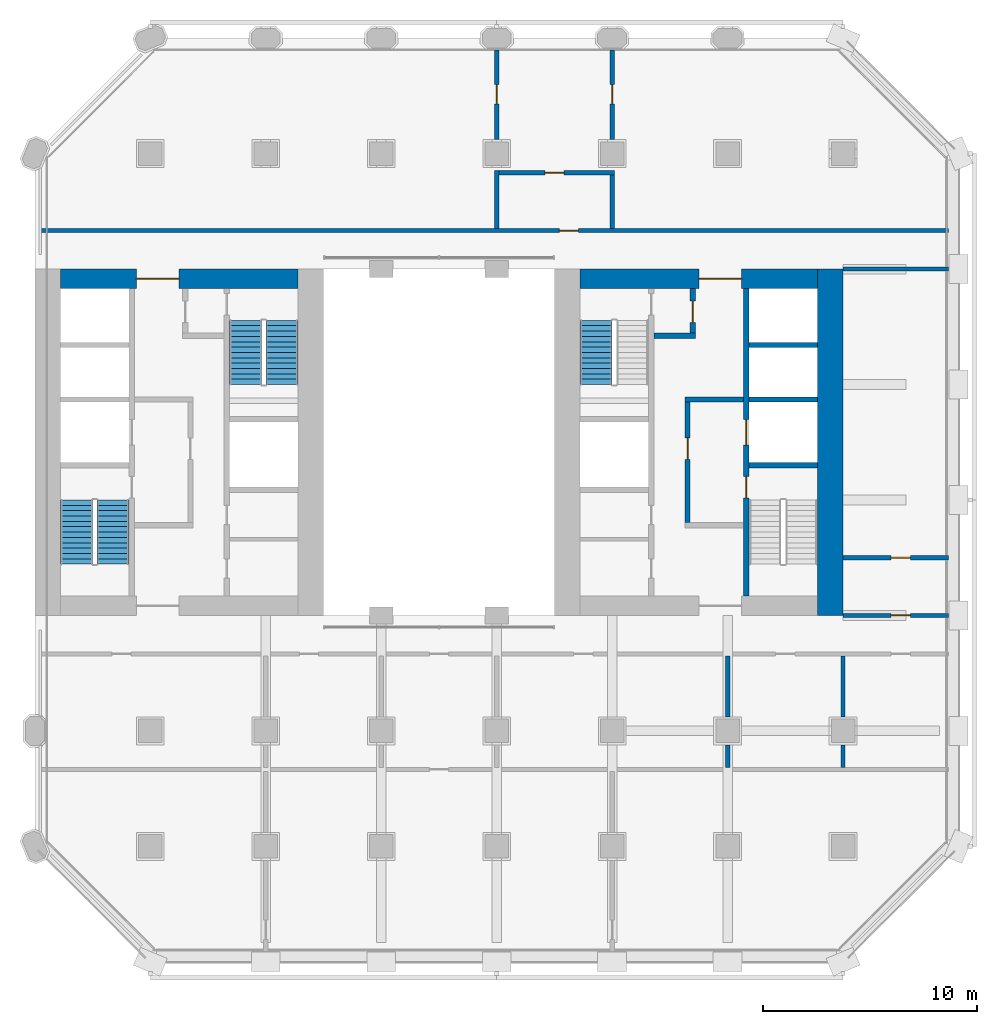
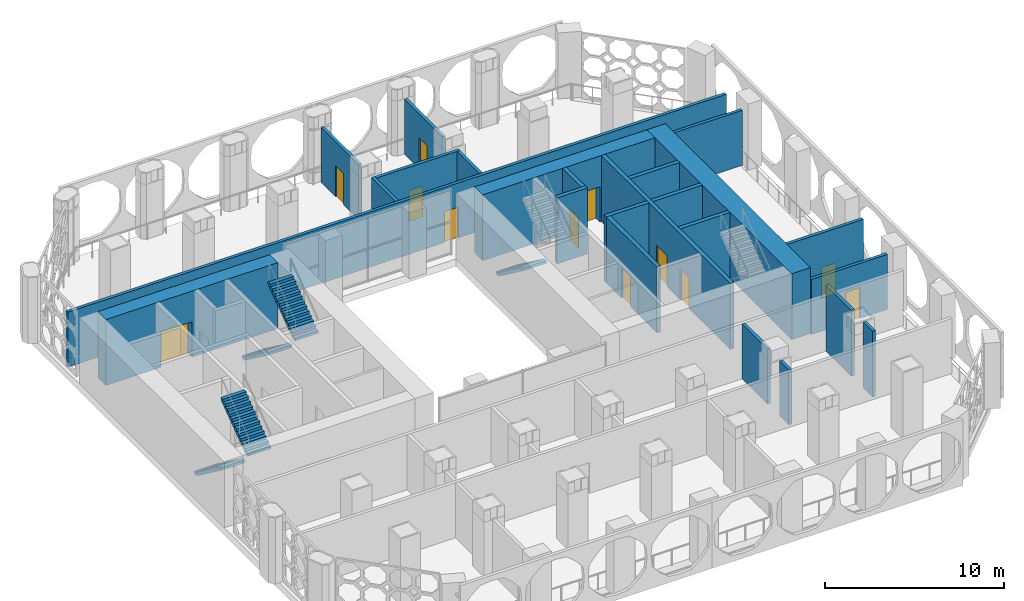
# One storey, part 9 of 14: 24 walls, 12 doors, 5 stair flights, 12 openings, 3 elements without a shape of their own.
"""IFC4 building model written with IfcOpenShell, lengths in metres."""

from ifc_helpers import new_model, si_unit, direction, frame, frame_2d, origin, place, context, subcontext, project, spatial, polyline, rectangle, outline, extrude, material, layer, layer_set, type_object, element, fill, aggregate, save


model = new_model("IFC4")

# Units and contexts
model_context = context("Model", 3, precision=1e-05, world=origin(), true_north=direction((0.0, 1.0)))
body_context = subcontext(model_context, "Body", "Model", "MODEL_VIEW")
ifc_project = project(units=[si_unit("LENGTHUNIT", "METRE"), si_unit("AREAUNIT", "SQUARE_METRE"), si_unit("VOLUMEUNIT", "CUBIC_METRE"), si_unit("PLANEANGLEUNIT", "RADIAN"), si_unit("MASSUNIT", "GRAM", prefix="KILO")], contexts=[model_context])

# Site, building, storey
site_placement = place(None, origin())
site = spatial("IfcSite", under=ifc_project, at=site_placement, CompositionType="ELEMENT")
building_placement = place(site_placement, origin())
building = spatial("IfcBuilding", under=site, at=building_placement, Name="Tabaq Tower and Sports Hall", CompositionType="ELEMENT")
storey_placement = place(building_placement, frame((0.0, 0.0, 60.199951171875)))
storey = spatial("IfcBuildingStorey", under=building, at=storey_placement, Name="L13", CompositionType="ELEMENT", Elevation=60.199951171875)

# Wall
ifc_material_1 = material(Name="Concrete C60/75", Category="concrete")
ifc_layer_1 = layer(ifc_material_1, 1.199951171875)
ifc_layer_set_1 = layer_set([ifc_layer_1], Name="Core wall 1200 Concrete C60/75")
wall_type_1 = type_object("IfcWallType", Name="Core wall 1200 Concrete C60/75", PredefinedType="SOLIDWALL", material=ifc_layer_set_1)
wall_1_placement = place(storey_placement, frame((42.60009765625, 32.39990234375, 0.0), z_axis=(0.0, 0.0, 1.0), x_axis=(0.0, -1.0, 0.0)))
element("IfcWall", 1, at=wall_1_placement, inside=storey, type_object=wall_type_1, Name="Core wall E L13", PredefinedType="SOLIDWALL", context=body_context, shape_type="SweptSolid", body=[
    extrude(rectangle(XDim=16.199951171875, YDim=1.199951171875, at=frame_2d((8.10009765625, 0.0))), origin(), (0.0, 0.0, 1.0), 4.5),
])

# Wall, opening, door
ifc_material_2 = material(Name="Concrete C60/75", Category="concrete")
ifc_layer_2 = layer(ifc_material_2, 0.89990234375)
ifc_layer_set_2 = layer_set([ifc_layer_2], Name="Core wall 900 Concrete C60/75")
wall_type_2 = type_object("IfcWallType", Name="Core wall 900 Concrete C60/75", PredefinedType="SOLIDWALL", material=ifc_layer_set_2)
wall_2_placement = place(storey_placement, frame((6.60009765625, 31.949951171875, 0.0), z_axis=(0.0, 0.0, 1.0), x_axis=(1.0, 0.0, 0.0)))
wall_2 = element("IfcWall", 2, at=wall_2_placement, inside=storey, type_object=wall_type_2, Name="Core wall W L13", PredefinedType="SOLIDWALL", context=body_context, shape_type="SweptSolid", body=[
    extrude(rectangle(XDim=11.099853515625, YDim=0.89990234375, at=frame_2d((5.5498046875, 0.0))), origin(), (0.0, 0.0, 1.0), 4.5),
])
opening_1_placement = place(wall_2_placement, frame((3.550048828125, 0.0, 0.0)))
opening_1 = element("IfcOpeningElement", 3, at=opening_1_placement, cuts=wall_2, Name="Opening PD-WL13-02", PredefinedType="OPENING", context=body_context, shape_type="SweptSolid", body=[
    extrude(rectangle(XDim=2.0, YDim=2.39990234375, at=frame_2d((1.0, 1.199951171875))), frame((0.0, 0.449951171875, 0.0), z_axis=(0.0, -1.0, 0.0), x_axis=(1.0, 0.0, 0.0)), (0.0, 0.0, 1.0), 0.89990234375),
])
ifc_material_3 = material(Name="Steel fire door", Category="steel")
door_type_1 = type_object("IfcDoorType", Name="Core entrance door 2000", OperationType="DOUBLE_DOOR_SINGLE_SWING", PredefinedType="DOOR", material=ifc_material_3)
door_1_placement = place(opening_1_placement, origin())
door_1 = element("IfcDoor", 4, at=door_1_placement, inside=storey, type_object=door_type_1, Name="Core entrance north W L13", OperationType="DOUBLE_DOOR_SINGLE_SWING", OverallHeight=2.39990234375, OverallWidth=2.0, PredefinedType="DOOR", context=body_context, shape_type="SweptSolid", body=[
    extrude(rectangle(XDim=2.0, YDim=2.39990234375, at=frame_2d((1.0, 1.199951171875))), frame((0.0, 0.02490234375, 0.0), z_axis=(0.0, -1.0, 0.0), x_axis=(1.0, 0.0, 0.0)), (0.0, 0.0, 1.0), 0.050048828125),
])
fill(opening_1, door_1)

wall_3_placement = place(storey_placement, frame((30.89990234375, 31.949951171875, 0.0), z_axis=(0.0, 0.0, 1.0), x_axis=(1.0, 0.0, 0.0)))
wall_3 = element("IfcWall", 5, at=wall_3_placement, inside=storey, type_object=wall_type_2, Name="Core wall E L13", PredefinedType="SOLIDWALL", context=body_context, shape_type="SweptSolid", body=[
    extrude(rectangle(XDim=11.10009765625, YDim=0.89990234375, at=frame_2d((5.550048828125, 0.0))), origin(), (0.0, 0.0, 1.0), 4.5),
])
opening_2_placement = place(wall_3_placement, frame((5.550048828125, 0.0, 0.0)))
opening_2 = element("IfcOpeningElement", 6, at=opening_2_placement, cuts=wall_3, Name="Opening PD-EL13-02", PredefinedType="OPENING", context=body_context, shape_type="SweptSolid", body=[
    extrude(rectangle(XDim=2.0, YDim=2.39990234375, at=frame_2d((1.0, 1.199951171875))), frame((0.0, 0.449951171875, 0.0), z_axis=(0.0, -1.0, 0.0), x_axis=(1.0, 0.0, 0.0)), (0.0, 0.0, 1.0), 0.89990234375),
])
door_2_placement = place(opening_2_placement, origin())
door_2 = element("IfcDoor", 7, at=door_2_placement, inside=storey, type_object=door_type_1, Name="Core entrance north E L13", OperationType="DOUBLE_DOOR_SINGLE_SWING", OverallHeight=2.39990234375, OverallWidth=2.0, PredefinedType="DOOR", context=body_context, shape_type="SweptSolid", body=[
    extrude(rectangle(XDim=2.0, YDim=2.39990234375, at=frame_2d((1.0, 1.199951171875))), frame((0.0, 0.02490234375, 0.0), z_axis=(0.0, -1.0, 0.0), x_axis=(1.0, 0.0, 0.0)), (0.0, 0.0, 1.0), 0.050048828125),
])
fill(opening_2, door_2)

ifc_material_4 = material(Name="Blockwork", Category="masonry")
ifc_layer_3 = layer(ifc_material_4, 0.199951171875)
ifc_layer_set_3 = layer_set([ifc_layer_3], Name="Fire compartment wall 200 Blockwork")
wall_type_3 = type_object("IfcWallType", Name="Fire compartment wall 200 Blockwork", PredefinedType="PARTITIONING", material=ifc_layer_set_3)
wall_4_placement = place(storey_placement, frame((48.1201171875, 16.199951171875, 0.0), z_axis=(0.0, 0.0, 1.0), x_axis=(-1.0, 0.0, 0.0)))
wall_4 = element("IfcWall", 8, at=wall_4_placement, inside=storey, type_object=wall_type_3, Name="Compartment wall L13", PredefinedType="PARTITIONING", context=body_context, shape_type="SweptSolid", body=[
    extrude(rectangle(XDim=4.920166015625, YDim=0.199951171875, at=frame_2d((2.4599609375, 0.0))), origin(), (0.0, 0.0, 1.0), 3.75),
])
opening_3_placement = place(wall_4_placement, frame((1.77001953125, 0.0, 0.0)))
opening_3 = element("IfcOpeningElement", 9, at=opening_3_placement, cuts=wall_4, Name="Opening L13-012", PredefinedType="OPENING", context=body_context, shape_type="SweptSolid", body=[
    extrude(rectangle(XDim=0.89990234375, YDim=2.10009765625, at=frame_2d((0.449951171875, 1.050048828125))), frame((0.0, 0.10009765625, 0.0), z_axis=(0.0, -1.0, 0.0), x_axis=(1.0, 0.0, 0.0)), (0.0, 0.0, 1.0), 0.199951171875),
])
ifc_material_5 = material(Name="Steel fire door", Category="steel")
door_type_2 = type_object("IfcDoorType", Name="Plant room door 900 left hand", OperationType="SINGLE_SWING_LEFT", PredefinedType="DOOR", material=ifc_material_5)
door_3_placement = place(opening_3_placement, origin())
door_3 = element("IfcDoor", 10, at=door_3_placement, inside=storey, type_object=door_type_2, Name="Plant room door L13-012", OperationType="SINGLE_SWING_LEFT", OverallHeight=2.10009765625, OverallWidth=0.89990234375, PredefinedType="DOOR", context=body_context, shape_type="SweptSolid", body=[
    extrude(rectangle(XDim=0.89990234375, YDim=2.10009765625, at=frame_2d((0.449951171875, 1.050048828125))), frame((0.0, 0.02490234375, 0.0), z_axis=(0.0, -1.0, 0.0), x_axis=(1.0, 0.0, 0.0)), (0.0, 0.0, 1.0), 0.050048828125),
])
fill(opening_3, door_3)

wall_5_placement = place(storey_placement, frame((48.1201171875, 34.199951171875, 0.0), z_axis=(0.0, 0.0, 1.0), x_axis=(-1.0, 0.0, 0.0)))
wall_5 = element("IfcWall", 11, at=wall_5_placement, inside=storey, type_object=wall_type_3, Name="Compartment wall L13", PredefinedType="PARTITIONING", context=body_context, shape_type="SweptSolid", body=[
    extrude(rectangle(XDim=42.47021484375, YDim=0.199951171875, at=frame_2d((21.235107421875, 0.0))), origin(), (0.0, 0.0, 1.0), 3.75),
])
opening_4_placement = place(wall_5_placement, frame((17.294921875, 0.0, 0.0)))
opening_4 = element("IfcOpeningElement", 12, at=opening_4_placement, cuts=wall_5, Name="Opening L13-013", PredefinedType="OPENING", context=body_context, shape_type="SweptSolid", body=[
    extrude(rectangle(XDim=0.89990234375, YDim=2.10009765625, at=frame_2d((0.449951171875, 1.050048828125))), frame((0.0, 0.10009765625, 0.0), z_axis=(0.0, -1.0, 0.0), x_axis=(1.0, 0.0, 0.0)), (0.0, 0.0, 1.0), 0.199951171875),
])
ifc_material_6 = material(Name="Steel fire door", Category="steel")
door_type_3 = type_object("IfcDoorType", Name="Plant room door 900 right hand", OperationType="SINGLE_SWING_RIGHT", PredefinedType="DOOR", material=ifc_material_6)
door_4_placement = place(opening_4_placement, origin())
door_4 = element("IfcDoor", 13, at=door_4_placement, inside=storey, type_object=door_type_3, Name="Plant room door L13-013", OperationType="SINGLE_SWING_RIGHT", OverallHeight=2.10009765625, OverallWidth=0.89990234375, PredefinedType="DOOR", context=body_context, shape_type="SweptSolid", body=[
    extrude(rectangle(XDim=0.89990234375, YDim=2.10009765625, at=frame_2d((0.449951171875, 1.050048828125))), frame((0.0, 0.02490234375, 0.0), z_axis=(0.0, -1.0, 0.0), x_axis=(1.0, 0.0, 0.0)), (0.0, 0.0, 1.0), 0.050048828125),
])
fill(opening_4, door_4)

# Walls
wall_6_placement = place(storey_placement, frame((43.199951171875, 32.39990234375, 0.0), z_axis=(0.0, 0.0, 1.0), x_axis=(1.0, 0.0, 0.0)))
element("IfcWall", 14, at=wall_6_placement, inside=storey, type_object=wall_type_3, Name="Compartment wall L13", PredefinedType="PARTITIONING", context=body_context, shape_type="SweptSolid", body=[
    extrude(rectangle(XDim=4.920166015625, YDim=0.199951171875, at=frame_2d((2.4599609375, 0.0))), origin(), (0.0, 0.0, 1.0), 3.75),
])
wall_7_placement = place(storey_placement, frame((27.0, 34.300048828125, 0.0), z_axis=(0.0, 0.0, 1.0), x_axis=(0.0, 1.0, 0.0)))
element("IfcWall", 15, at=wall_7_placement, inside=storey, type_object=wall_type_3, Name="Compartment wall L13", PredefinedType="PARTITIONING", context=body_context, shape_type="SweptSolid", body=[
    extrude(rectangle(XDim=2.699951171875, YDim=0.199951171875, at=frame_2d((1.35009765625, 0.0))), origin(), (0.0, 0.0, 1.0), 3.75),
])

# Wall, opening, door
wall_8_placement = place(storey_placement, frame((27.0, 38.45068359375, 0.0), z_axis=(0.0, 0.0, 1.0), x_axis=(0.0, 1.0, 0.0)))
wall_8 = element("IfcWall", 16, at=wall_8_placement, inside=storey, type_object=wall_type_3, Name="Compartment wall L13", PredefinedType="PARTITIONING", context=body_context, shape_type="SweptSolid", body=[
    extrude(rectangle(XDim=4.19921875, YDim=0.199951171875, at=frame_2d((2.099609375, 0.0))), origin(), (0.0, 0.0, 1.0), 3.75),
])
opening_5_placement = place(wall_8_placement, frame((1.67431640625, 0.0, 0.0)))
opening_5 = element("IfcOpeningElement", 17, at=opening_5_placement, cuts=wall_8, Name="Opening L13-006", PredefinedType="OPENING", context=body_context, shape_type="SweptSolid", body=[
    extrude(rectangle(XDim=0.89990234375, YDim=2.10009765625, at=frame_2d((0.449951171875, 1.050048828125))), frame((0.0, 0.10009765625, 0.0), z_axis=(0.0, -1.0, 0.0), x_axis=(1.0, 0.0, 0.0)), (0.0, 0.0, 1.0), 0.199951171875),
])
ifc_material_7 = material(Name="Steel fire door", Category="steel")
door_type_4 = type_object("IfcDoorType", Name="Refuge holding area door 900 right hand", OperationType="SINGLE_SWING_RIGHT", PredefinedType="DOOR", material=ifc_material_7)
door_5_placement = place(opening_5_placement, origin())
door_5 = element("IfcDoor", 18, at=door_5_placement, inside=storey, type_object=door_type_4, Name="Refuge holding area door L13-006", OperationType="SINGLE_SWING_RIGHT", OverallHeight=2.10009765625, OverallWidth=0.89990234375, PredefinedType="DOOR", context=body_context, shape_type="SweptSolid", body=[
    extrude(rectangle(XDim=0.89990234375, YDim=2.10009765625, at=frame_2d((0.449951171875, 1.050048828125))), frame((0.0, 0.02490234375, 0.0), z_axis=(0.0, -1.0, 0.0), x_axis=(1.0, 0.0, 0.0)), (0.0, 0.0, 1.0), 0.050048828125),
])
fill(opening_5, door_5)

wall_9_placement = place(storey_placement, frame((32.39990234375, 38.45068359375, 0.0), z_axis=(0.0, 0.0, 1.0), x_axis=(0.0, 1.0, 0.0)))
wall_9 = element("IfcWall", 19, at=wall_9_placement, inside=storey, type_object=wall_type_3, Name="Compartment wall L13", PredefinedType="PARTITIONING", context=body_context, shape_type="SweptSolid", body=[
    extrude(rectangle(XDim=4.19921875, YDim=0.199951171875, at=frame_2d((2.099609375, 0.0))), origin(), (0.0, 0.0, 1.0), 3.75),
])
opening_6_placement = place(wall_9_placement, frame((1.67431640625, 0.0, 0.0)))
opening_6 = element("IfcOpeningElement", 20, at=opening_6_placement, cuts=wall_9, Name="Opening L13-007", PredefinedType="OPENING", context=body_context, shape_type="SweptSolid", body=[
    extrude(rectangle(XDim=0.89990234375, YDim=2.10009765625, at=frame_2d((0.449951171875, 1.050048828125))), frame((0.0, 0.10009765625, 0.0), z_axis=(0.0, -1.0, 0.0), x_axis=(1.0, 0.0, 0.0)), (0.0, 0.0, 1.0), 0.199951171875),
])
ifc_material_8 = material(Name="Steel fire door", Category="steel")
door_type_5 = type_object("IfcDoorType", Name="Refuge holding area door 900 left hand", OperationType="SINGLE_SWING_LEFT", PredefinedType="DOOR", material=ifc_material_8)
door_6_placement = place(opening_6_placement, origin())
door_6 = element("IfcDoor", 21, at=door_6_placement, inside=storey, type_object=door_type_5, Name="Refuge holding area door L13-007", OperationType="SINGLE_SWING_LEFT", OverallHeight=2.10009765625, OverallWidth=0.89990234375, PredefinedType="DOOR", context=body_context, shape_type="SweptSolid", body=[
    extrude(rectangle(XDim=0.89990234375, YDim=2.10009765625, at=frame_2d((0.449951171875, 1.050048828125))), frame((0.0, 0.02490234375, 0.0), z_axis=(0.0, -1.0, 0.0), x_axis=(1.0, 0.0, 0.0)), (0.0, 0.0, 1.0), 0.050048828125),
])
fill(opening_6, door_6)

wall_10_placement = place(storey_placement, frame((27.10009765625, 36.89990234375, 0.0), z_axis=(0.0, 0.0, 1.0), x_axis=(1.0, 0.0, 0.0)))
wall_10 = element("IfcWall", 22, at=wall_10_placement, inside=storey, type_object=wall_type_3, Name="Compartment wall L13", PredefinedType="PARTITIONING", context=body_context, shape_type="SweptSolid", body=[
    extrude(rectangle(XDim=5.39990234375, YDim=0.199951171875, at=frame_2d((2.699951171875, 0.0))), origin(), (0.0, 0.0, 1.0), 3.75),
])
opening_7_placement = place(wall_10_placement, frame((2.14990234375, 0.0, 0.0)))
opening_7 = element("IfcOpeningElement", 23, at=opening_7_placement, cuts=wall_10, Name="Opening L13-014", PredefinedType="OPENING", context=body_context, shape_type="SweptSolid", body=[
    extrude(rectangle(XDim=0.89990234375, YDim=2.10009765625, at=frame_2d((0.449951171875, 1.050048828125))), frame((0.0, 0.10009765625, 0.0), z_axis=(0.0, -1.0, 0.0), x_axis=(1.0, 0.0, 0.0)), (0.0, 0.0, 1.0), 0.199951171875),
])
door_7_placement = place(opening_7_placement, origin())
door_7 = element("IfcDoor", 24, at=door_7_placement, inside=storey, type_object=door_type_4, Name="Refuge holding area door L13-014", OperationType="SINGLE_SWING_RIGHT", OverallHeight=2.10009765625, OverallWidth=0.89990234375, PredefinedType="DOOR", context=body_context, shape_type="SweptSolid", body=[
    extrude(rectangle(XDim=0.89990234375, YDim=2.10009765625, at=frame_2d((0.449951171875, 1.050048828125))), frame((0.0, 0.02490234375, 0.0), z_axis=(0.0, -1.0, 0.0), x_axis=(1.0, 0.0, 0.0)), (0.0, 0.0, 1.0), 0.050048828125),
])
fill(opening_7, door_7)

# Walls
wall_11_placement = place(storey_placement, frame((32.39990234375, 36.800048828125, 0.0), z_axis=(0.0, 0.0, 1.0), x_axis=(0.0, -1.0, 0.0)))
element("IfcWall", 25, at=wall_11_placement, inside=storey, type_object=wall_type_3, Name="Compartment wall L13", PredefinedType="PARTITIONING", context=body_context, shape_type="SweptSolid", body=[
    extrude(rectangle(XDim=2.5, YDim=0.199951171875, at=frame_2d((1.25, 0.0))), origin(), (0.0, 0.0, 1.0), 3.75),
])
wall_12_placement = place(storey_placement, frame((37.800048828125, 9.10009765625, 0.0), z_axis=(0.0, 0.0, 1.0), x_axis=(0.0, 1.0, 0.0)))
element("IfcWall", 26, at=wall_12_placement, inside=storey, type_object=wall_type_3, Name="Compartment wall L13", PredefinedType="PARTITIONING", context=body_context, shape_type="SweptSolid", body=[
    extrude(rectangle(XDim=1.04931640625, YDim=0.199951171875, at=frame_2d((0.524658203125, 0.0))), origin(), (0.0, 0.0, 1.0), 3.75),
])
wall_13_placement = place(storey_placement, frame((37.800048828125, 11.45068359375, 0.0), z_axis=(0.0, 0.0, 1.0), x_axis=(0.0, 1.0, 0.0)))
element("IfcWall", 27, at=wall_13_placement, inside=storey, type_object=wall_type_3, Name="Compartment wall L13", PredefinedType="PARTITIONING", context=body_context, shape_type="SweptSolid", body=[
    extrude(rectangle(XDim=2.849365234375, YDim=0.199951171875, at=frame_2d((1.4248046875, 0.0))), origin(), (0.0, 0.0, 1.0), 3.75),
])
wall_14_placement = place(storey_placement, frame((43.199951171875, 9.10009765625, 0.0), z_axis=(0.0, 0.0, 1.0), x_axis=(0.0, 1.0, 0.0)))
element("IfcWall", 28, at=wall_14_placement, inside=storey, type_object=wall_type_3, Name="Compartment wall L13", PredefinedType="PARTITIONING", context=body_context, shape_type="SweptSolid", body=[
    extrude(rectangle(XDim=1.04931640625, YDim=0.199951171875, at=frame_2d((0.524658203125, 0.0))), origin(), (0.0, 0.0, 1.0), 4.5),
])
wall_15_placement = place(storey_placement, frame((43.199951171875, 11.45068359375, 0.0), z_axis=(0.0, 0.0, 1.0), x_axis=(0.0, 1.0, 0.0)))
element("IfcWall", 29, at=wall_15_placement, inside=storey, type_object=wall_type_3, Name="Compartment wall L13", PredefinedType="PARTITIONING", context=body_context, shape_type="SweptSolid", body=[
    extrude(rectangle(XDim=2.849365234375, YDim=0.199951171875, at=frame_2d((1.4248046875, 0.0))), origin(), (0.0, 0.0, 1.0), 4.5),
])

# Wall, opening, door
wall_16_placement = place(storey_placement, frame((43.199951171875, 18.89990234375, 0.0), z_axis=(0.0, 0.0, 1.0), x_axis=(1.0, 0.0, 0.0)))
wall_16 = element("IfcWall", 30, at=wall_16_placement, inside=storey, type_object=wall_type_3, Name="Compartment wall L13", PredefinedType="PARTITIONING", context=body_context, shape_type="SweptSolid", body=[
    extrude(rectangle(XDim=4.920166015625, YDim=0.199951171875, at=frame_2d((2.4599609375, 0.0))), origin(), (0.0, 0.0, 1.0), 4.5),
])
opening_8_placement = place(wall_16_placement, frame((2.25, 0.0, 0.0)))
opening_8 = element("IfcOpeningElement", 31, at=opening_8_placement, cuts=wall_16, Name="Opening L13-010", PredefinedType="OPENING", context=body_context, shape_type="SweptSolid", body=[
    extrude(rectangle(XDim=0.89990234375, YDim=2.10009765625, at=frame_2d((0.449951171875, 1.050048828125))), frame((0.0, 0.10009765625, 0.0), z_axis=(0.0, -1.0, 0.0), x_axis=(1.0, 0.0, 0.0)), (0.0, 0.0, 1.0), 0.199951171875),
])
door_8_placement = place(opening_8_placement, origin())
door_8 = element("IfcDoor", 32, at=door_8_placement, inside=storey, type_object=door_type_4, Name="Refuge holding area door L13-010", OperationType="SINGLE_SWING_RIGHT", OverallHeight=2.10009765625, OverallWidth=0.89990234375, PredefinedType="DOOR", context=body_context, shape_type="SweptSolid", body=[
    extrude(rectangle(XDim=0.89990234375, YDim=2.10009765625, at=frame_2d((0.449951171875, 1.050048828125))), frame((0.0, 0.02490234375, 0.0), z_axis=(0.0, -1.0, 0.0), x_axis=(1.0, 0.0, 0.0)), (0.0, 0.0, 1.0), 0.050048828125),
])
fill(opening_8, door_8)

# Wall, openings, doors
ifc_material_9 = material(Name="Concrete C40/50", Category="concrete")
ifc_layer_4 = layer(ifc_material_9, 0.25)
ifc_layer_set_4 = layer_set([ifc_layer_4], Name="Shaft and stair wall 250 Concrete C40/50")
wall_type_4 = type_object("IfcWallType", Name="Shaft and stair wall 250 Concrete C40/50", PredefinedType="SOLIDWALL", material=ifc_layer_set_4)
wall_17_placement = place(storey_placement, frame((38.675048828125, 17.10009765625, 0.0), z_axis=(0.0, 0.0, 1.0), x_axis=(0.0, 1.0, 0.0)))
wall_17 = element("IfcWall", 33, at=wall_17_placement, inside=storey, type_object=wall_type_4, Name="Shaft wall E L13", PredefinedType="SOLIDWALL", context=body_context, shape_type="SweptSolid", body=[
    extrude(rectangle(XDim=14.39990234375, YDim=0.25, at=frame_2d((7.199951171875, 0.0))), origin(), (0.0, 0.0, 1.0), 4.5),
])
opening_9_placement = place(wall_17_placement, frame((4.60009765625, 0.0, 0.0)))
opening_9 = element("IfcOpeningElement", 34, at=opening_9_placement, cuts=wall_17, Name="Opening SD-EL13-03", PredefinedType="OPENING", context=body_context, shape_type="SweptSolid", body=[
    extrude(rectangle(XDim=1.0, YDim=2.10009765625, at=frame_2d((0.5, 1.050048828125))), frame((0.0, 0.125, 0.0), z_axis=(0.0, -1.0, 0.0), x_axis=(1.0, 0.0, 0.0)), (0.0, 0.0, 1.0), 0.25),
])
opening_10_placement = place(wall_17_placement, frame((7.0625, 0.0, 0.0)))
opening_10 = element("IfcOpeningElement", 35, at=opening_10_placement, cuts=wall_17, Name="Opening LD-FF2-L13", PredefinedType="OPENING", context=body_context, shape_type="SweptSolid", body=[
    extrude(rectangle(XDim=1.199951171875, YDim=2.10009765625, at=frame_2d((0.60009765625, 1.050048828125))), frame((0.0, 0.125, 0.0), z_axis=(0.0, -1.0, 0.0), x_axis=(1.0, 0.0, 0.0)), (0.0, 0.0, 1.0), 0.25),
])
ifc_material_10 = material(Name="Stainless steel", Category="steel")
door_type_6 = type_object("IfcDoorType", Name="Lift landing door 1200", OperationType="DOUBLE_DOOR_SLIDING", PredefinedType="DOOR", material=ifc_material_10)
door_9_placement = place(opening_10_placement, origin())
door_9 = element("IfcDoor", 36, at=door_9_placement, inside=storey, type_object=door_type_6, Name="Lift landing door FF2 E L13", OperationType="DOUBLE_DOOR_SLIDING", OverallHeight=2.10009765625, OverallWidth=1.199951171875, PredefinedType="DOOR", context=body_context, shape_type="SweptSolid", body=[
    extrude(rectangle(XDim=1.199951171875, YDim=2.10009765625, at=frame_2d((0.60009765625, 1.050048828125))), frame((0.0, 0.02490234375, 0.0), z_axis=(0.0, -1.0, 0.0), x_axis=(1.0, 0.0, 0.0)), (0.0, 0.0, 1.0), 0.050048828125),
])
fill(opening_10, door_9)
ifc_material_11 = material(Name="Steel fire door", Category="steel")
door_type_7 = type_object("IfcDoorType", Name="Stair door 1000", OperationType="SINGLE_SWING_LEFT", PredefinedType="DOOR", material=ifc_material_11)
door_10_placement = place(opening_9_placement, origin())
door_10 = element("IfcDoor", 37, at=door_10_placement, inside=storey, type_object=door_type_7, Name="Stair door ST3 E L13", OperationType="SINGLE_SWING_LEFT", OverallHeight=2.10009765625, OverallWidth=1.0, PredefinedType="DOOR", context=body_context, shape_type="SweptSolid", body=[
    extrude(rectangle(XDim=1.0, YDim=2.10009765625, at=frame_2d((0.5, 1.050048828125))), frame((0.0, 0.02490234375, 0.0), z_axis=(0.0, -1.0, 0.0), x_axis=(1.0, 0.0, 0.0)), (0.0, 0.0, 1.0), 0.050048828125),
])
fill(opening_9, door_10)

# Walls
for number, where, z_axis, x_axis, name in (
    (38, (38.800048828125, 23.22509765625, 0.0), (0.0, 0.0, 1.0), (1.0, 0.0, 0.0), "Stair enclosure wall E L13"),
    (39, (38.800048828125, 26.300048828125, 0.0), (0.0, 0.0, 1.0), (1.0, 0.0, 0.0), "Shaft wall E L13"),
):
    element("IfcWall", number, at=place(storey_placement, frame(where, z_axis=z_axis, x_axis=x_axis)), inside=storey, type_object=wall_type_4, Name=name, PredefinedType="SOLIDWALL", context=body_context, shape_type="SweptSolid", body=[
        extrude(rectangle(XDim=3.199951171875, YDim=0.25, at=frame_2d((1.60009765625, 0.0))), origin(), (0.0, 0.0, 1.0), 4.5),
    ])
wall_18_placement = place(storey_placement, frame((35.800048828125, 26.300048828125, 0.0), z_axis=(0.0, 0.0, 1.0), x_axis=(1.0, 0.0, 0.0)))
element("IfcWall", 40, at=wall_18_placement, inside=storey, type_object=wall_type_4, Name="Fire-fighting lobby wall E L13", PredefinedType="SOLIDWALL", context=body_context, shape_type="SweptSolid", body=[
    extrude(rectangle(XDim=2.75, YDim=0.25, at=frame_2d((1.375, 0.0))), origin(), (0.0, 0.0, 1.0), 4.5),
])

# Wall, opening, door
wall_19_placement = place(storey_placement, frame((36.175048828125, 29.39990234375, 0.0), z_axis=(0.0, 0.0, 1.0), x_axis=(0.0, 1.0, 0.0)))
wall_19 = element("IfcWall", 41, at=wall_19_placement, inside=storey, type_object=wall_type_4, Name="Fire-fighting lobby wall E L13", PredefinedType="SOLIDWALL", context=body_context, shape_type="SweptSolid", body=[
    extrude(rectangle(XDim=2.10009765625, YDim=0.25, at=frame_2d((1.050048828125, 0.0))), origin(), (0.0, 0.0, 1.0), 4.5),
])
opening_11_placement = place(wall_19_placement, frame((0.5, 0.0, 0.0)))
opening_11 = element("IfcOpeningElement", 42, at=opening_11_placement, cuts=wall_19, Name="Opening FD-EL13-06", PredefinedType="OPENING", context=body_context, shape_type="SweptSolid", body=[
    extrude(rectangle(XDim=1.0, YDim=2.10009765625, at=frame_2d((0.5, 1.050048828125))), frame((0.0, 0.125, 0.0), z_axis=(0.0, -1.0, 0.0), x_axis=(1.0, 0.0, 0.0)), (0.0, 0.0, 1.0), 0.25),
])
ifc_material_12 = material(Name="Steel fire door", Category="steel")
door_type_8 = type_object("IfcDoorType", Name="Fire-fighting lobby door 1000", OperationType="SINGLE_SWING_LEFT", PredefinedType="DOOR", material=ifc_material_12)
door_11_placement = place(opening_11_placement, origin())
door_11 = element("IfcDoor", 43, at=door_11_placement, inside=storey, type_object=door_type_8, Name="Stair lobby door E L13", OperationType="SINGLE_SWING_LEFT", OverallHeight=2.10009765625, OverallWidth=1.0, PredefinedType="DOOR", context=body_context, shape_type="SweptSolid", body=[
    extrude(rectangle(XDim=1.0, YDim=2.10009765625, at=frame_2d((0.5, 1.050048828125))), frame((0.0, 0.02490234375, 0.0), z_axis=(0.0, -1.0, 0.0), x_axis=(1.0, 0.0, 0.0)), (0.0, 0.0, 1.0), 0.050048828125),
])
fill(opening_11, door_11)

# Wall
wall_20_placement = place(storey_placement, frame((34.35009765625, 29.27490234375, 0.0), z_axis=(0.0, 0.0, 1.0), x_axis=(1.0, 0.0, 0.0)))
element("IfcWall", 44, at=wall_20_placement, inside=storey, type_object=wall_type_4, Name="Fire-fighting lobby wall E L13", PredefinedType="SOLIDWALL", context=body_context, shape_type="SweptSolid", body=[
    extrude(rectangle(XDim=1.949951171875, YDim=0.25, at=frame_2d((0.97509765625, 0.0))), origin(), (0.0, 0.0, 1.0), 4.5),
])

# Wall, opening, door
wall_21_placement = place(storey_placement, frame((35.925048828125, 20.550048828125, 0.0), z_axis=(0.0, 0.0, 1.0), x_axis=(0.0, 1.0, 0.0)))
wall_21 = element("IfcWall", 45, at=wall_21_placement, inside=storey, type_object=wall_type_4, Name="Fire-fighting lobby wall E L13", PredefinedType="SOLIDWALL", context=body_context, shape_type="SweptSolid", body=[
    extrude(rectangle(XDim=5.625, YDim=0.25, at=frame_2d((2.8125, 0.0))), origin(), (0.0, 0.0, 1.0), 4.5),
])
opening_12_placement = place(wall_21_placement, frame((2.949951171875, 0.0, 0.0)))
opening_12 = element("IfcOpeningElement", 46, at=opening_12_placement, cuts=wall_21, Name="Opening FD-EL13-04", PredefinedType="OPENING", context=body_context, shape_type="SweptSolid", body=[
    extrude(rectangle(XDim=1.0, YDim=2.10009765625, at=frame_2d((0.5, 1.050048828125))), frame((0.0, 0.125, 0.0), z_axis=(0.0, -1.0, 0.0), x_axis=(1.0, 0.0, 0.0)), (0.0, 0.0, 1.0), 0.25),
])
door_12_placement = place(opening_12_placement, origin())
door_12 = element("IfcDoor", 47, at=door_12_placement, inside=storey, type_object=door_type_8, Name="Fire-fighting lobby door E L13", OperationType="SINGLE_SWING_LEFT", OverallHeight=2.10009765625, OverallWidth=1.0, PredefinedType="DOOR", context=body_context, shape_type="SweptSolid", body=[
    extrude(rectangle(XDim=1.0, YDim=2.10009765625, at=frame_2d((0.5, 1.050048828125))), frame((0.0, 0.02490234375, 0.0), z_axis=(0.0, -1.0, 0.0), x_axis=(1.0, 0.0, 0.0)), (0.0, 0.0, 1.0), 0.050048828125),
])
fill(opening_12, door_12)

# Wall
wall_22_placement = place(storey_placement, frame((38.800048828125, 28.85009765625, 0.0), z_axis=(0.0, 0.0, 1.0), x_axis=(1.0, 0.0, 0.0)))
element("IfcWall", 48, at=wall_22_placement, inside=storey, type_object=wall_type_4, Name="Shaft wall E L13", PredefinedType="SOLIDWALL", context=body_context, shape_type="SweptSolid", body=[
    extrude(rectangle(XDim=3.199951171875, YDim=0.25, at=frame_2d((1.60009765625, 0.0))), origin(), (0.0, 0.0, 1.0), 4.5),
])

# Stair, stair flights
ifc_material_13 = material(Name="Concrete C40/50", Category="concrete")
stair_type = type_object("IfcStairType", Name="Exit stair", PredefinedType="HALF_TURN_STAIR", material=ifc_material_13)
stair_1_placement = place(storey_placement, origin())
stair_1 = element("IfcStair", 49, at=stair_1_placement, inside=storey, type_object=stair_type, Name="L13 Exit stair ST1", PredefinedType="HALF_TURN_STAIR")
ifc_material_14 = material(Name="Concrete C40/50", Category="concrete")
stair_flight_type = type_object("IfcStairFlightType", Name="Exit stair flight", PredefinedType="STRAIGHT", material=ifc_material_14)
stair_flight_1_placement = place(storey_placement, frame((7.35009765625, 21.60009765625, 0.0), z_axis=(0.0, 0.0, 1.0), x_axis=(0.0, -1.0, 0.0)))
stair_flight_1 = element("IfcStairFlight", 50, at=stair_flight_1_placement, type_object=stair_flight_type, Name="ST1 flight 1", NumberOfRisers=13, NumberOfTreads=12, PredefinedType="STRAIGHT", RiserHeight=0.184615385, TreadLength=0.25, context=body_context, shape_type="SweptSolid", body=[
    extrude(outline(polyline([(0.0, 0.0), (0.0, 0.1845703125), (0.25, 0.1845703125), (0.25, 0.369140625), (0.5, 0.369140625), (0.5, 0.553955078125), (0.75, 0.553955078125), (0.75, 0.738525390625), (1.0, 0.738525390625), (1.0, 0.923095703125), (1.25, 0.923095703125), (1.25, 1.107666015625), (1.5, 1.107666015625), (1.5, 1.292236328125), (1.75, 1.292236328125), (1.75, 1.476806640625), (2.0, 1.476806640625), (2.0, 1.66162109375), (2.25, 1.66162109375), (2.25, 1.84619140625), (2.5, 1.84619140625), (2.5, 2.03076171875), (2.75, 2.03076171875), (2.75, 2.21533203125), (3.0, 2.21533203125), (3.0, 2.39990234375), (3.0, 2.029052734375), (0.25244140625, 0.0), (0.0, 0.0)])), frame((0.0, 0.75, 0.0), z_axis=(0.0, -1.0, 0.0), x_axis=(1.0, 0.0, 0.0)), (0.0, 0.0, 1.0), 1.5),
])
stair_flight_2_placement = place(storey_placement, frame((9.050048828125, 18.60009765625, 2.400146484375), z_axis=(0.0, 0.0, 1.0), x_axis=(0.0, 1.0, 0.0)))
stair_flight_2 = element("IfcStairFlight", 51, at=stair_flight_2_placement, type_object=stair_flight_type, Name="ST1 flight 2", NumberOfRisers=13, NumberOfTreads=12, PredefinedType="STRAIGHT", RiserHeight=0.184615385, TreadLength=0.25, context=body_context, shape_type="SweptSolid", body=[
    extrude(outline(polyline([(0.0, 0.0), (0.0, 0.1845703125), (0.25, 0.1845703125), (0.25, 0.369140625), (0.5, 0.369140625), (0.5, 0.553955078125), (0.75, 0.553955078125), (0.75, 0.738525390625), (1.0, 0.738525390625), (1.0, 0.923095703125), (1.25, 0.923095703125), (1.25, 1.107666015625), (1.5, 1.107666015625), (1.5, 1.292236328125), (1.75, 1.292236328125), (1.75, 1.476806640625), (2.0, 1.476806640625), (2.0, 1.66162109375), (2.25, 1.66162109375), (2.25, 1.84619140625), (2.5, 1.84619140625), (2.5, 2.03076171875), (2.75, 2.03076171875), (2.75, 2.21533203125), (3.0, 2.21533203125), (3.0, 2.39990234375), (3.0, 2.029052734375), (0.25244140625, 0.0), (0.0, 0.0)])), frame((0.0, 0.75, 0.0), z_axis=(0.0, -1.0, 0.0), x_axis=(1.0, 0.0, 0.0)), (0.0, 0.0, 1.0), 1.5),
])
aggregate(stair_1, [stair_flight_1, stair_flight_2])

stair_2_placement = place(storey_placement, origin())
stair_2 = element("IfcStair", 52, at=stair_2_placement, inside=storey, type_object=stair_type, Name="L13 Exit stair ST2", PredefinedType="HALF_TURN_STAIR")
stair_flight_3_placement = place(storey_placement, frame((15.25, 30.0, 0.0), z_axis=(0.0, 0.0, 1.0), x_axis=(0.0, -1.0, 0.0)))
stair_flight_3 = element("IfcStairFlight", 53, at=stair_flight_3_placement, type_object=stair_flight_type, Name="ST2 flight 1", NumberOfRisers=13, NumberOfTreads=12, PredefinedType="STRAIGHT", RiserHeight=0.184615385, TreadLength=0.25, context=body_context, shape_type="SweptSolid", body=[
    extrude(outline(polyline([(0.0, 0.0), (0.0, 0.1845703125), (0.25, 0.1845703125), (0.25, 0.369140625), (0.5, 0.369140625), (0.5, 0.553955078125), (0.75, 0.553955078125), (0.75, 0.738525390625), (1.0, 0.738525390625), (1.0, 0.923095703125), (1.25, 0.923095703125), (1.25, 1.107666015625), (1.5, 1.107666015625), (1.5, 1.292236328125), (1.75, 1.292236328125), (1.75, 1.476806640625), (2.0, 1.476806640625), (2.0, 1.66162109375), (2.25, 1.66162109375), (2.25, 1.84619140625), (2.5, 1.84619140625), (2.5, 2.03076171875), (2.75, 2.03076171875), (2.75, 2.21533203125), (3.0, 2.21533203125), (3.0, 2.39990234375), (3.0, 2.029052734375), (0.25244140625, 0.0), (0.0, 0.0)])), frame((0.0, 0.75, 0.0), z_axis=(0.0, -1.0, 0.0), x_axis=(1.0, 0.0, 0.0)), (0.0, 0.0, 1.0), 1.5),
])
stair_flight_4_placement = place(storey_placement, frame((16.949951171875, 27.0, 2.400146484375), z_axis=(0.0, 0.0, 1.0), x_axis=(0.0, 1.0, 0.0)))
stair_flight_4 = element("IfcStairFlight", 54, at=stair_flight_4_placement, type_object=stair_flight_type, Name="ST2 flight 2", NumberOfRisers=13, NumberOfTreads=12, PredefinedType="STRAIGHT", RiserHeight=0.184615385, TreadLength=0.25, context=body_context, shape_type="SweptSolid", body=[
    extrude(outline(polyline([(0.0, 0.0), (0.0, 0.1845703125), (0.25, 0.1845703125), (0.25, 0.369140625), (0.5, 0.369140625), (0.5, 0.553955078125), (0.75, 0.553955078125), (0.75, 0.738525390625), (1.0, 0.738525390625), (1.0, 0.923095703125), (1.25, 0.923095703125), (1.25, 1.107666015625), (1.5, 1.107666015625), (1.5, 1.292236328125), (1.75, 1.292236328125), (1.75, 1.476806640625), (2.0, 1.476806640625), (2.0, 1.66162109375), (2.25, 1.66162109375), (2.25, 1.84619140625), (2.5, 1.84619140625), (2.5, 2.03076171875), (2.75, 2.03076171875), (2.75, 2.21533203125), (3.0, 2.21533203125), (3.0, 2.39990234375), (3.0, 2.029052734375), (0.25244140625, 0.0), (0.0, 0.0)])), frame((0.0, 0.75, 0.0), z_axis=(0.0, -1.0, 0.0), x_axis=(1.0, 0.0, 0.0)), (0.0, 0.0, 1.0), 1.5),
])
aggregate(stair_2, [stair_flight_3, stair_flight_4])

# Stair, stair flight
stair_3_placement = place(storey_placement, origin())
stair_3 = element("IfcStair", 55, at=stair_3_placement, inside=storey, type_object=stair_type, Name="L13 Exit stair ST4", PredefinedType="HALF_TURN_STAIR")
stair_flight_5_placement = place(storey_placement, frame((31.64990234375, 30.0, 0.0), z_axis=(0.0, 0.0, 1.0), x_axis=(0.0, -1.0, 0.0)))
stair_flight_5 = element("IfcStairFlight", 56, at=stair_flight_5_placement, type_object=stair_flight_type, Name="ST4 flight 1", NumberOfRisers=13, NumberOfTreads=12, PredefinedType="STRAIGHT", RiserHeight=0.184615385, TreadLength=0.25, context=body_context, shape_type="SweptSolid", body=[
    extrude(outline(polyline([(0.0, 0.0), (0.0, 0.1845703125), (0.25, 0.1845703125), (0.25, 0.369140625), (0.5, 0.369140625), (0.5, 0.553955078125), (0.75, 0.553955078125), (0.75, 0.738525390625), (1.0, 0.738525390625), (1.0, 0.923095703125), (1.25, 0.923095703125), (1.25, 1.107666015625), (1.5, 1.107666015625), (1.5, 1.292236328125), (1.75, 1.292236328125), (1.75, 1.476806640625), (2.0, 1.476806640625), (2.0, 1.66162109375), (2.25, 1.66162109375), (2.25, 1.84619140625), (2.5, 1.84619140625), (2.5, 2.03076171875), (2.75, 2.03076171875), (2.75, 2.21533203125), (3.0, 2.21533203125), (3.0, 2.39990234375), (3.0, 2.029052734375), (0.25244140625, 0.0), (0.0, 0.0)])), frame((0.0, 0.75, 0.0), z_axis=(0.0, -1.0, 0.0), x_axis=(1.0, 0.0, 0.0)), (0.0, 0.0, 1.0), 1.5),
])
aggregate(stair_3, [stair_flight_5])

save(model, "model.ifc")
